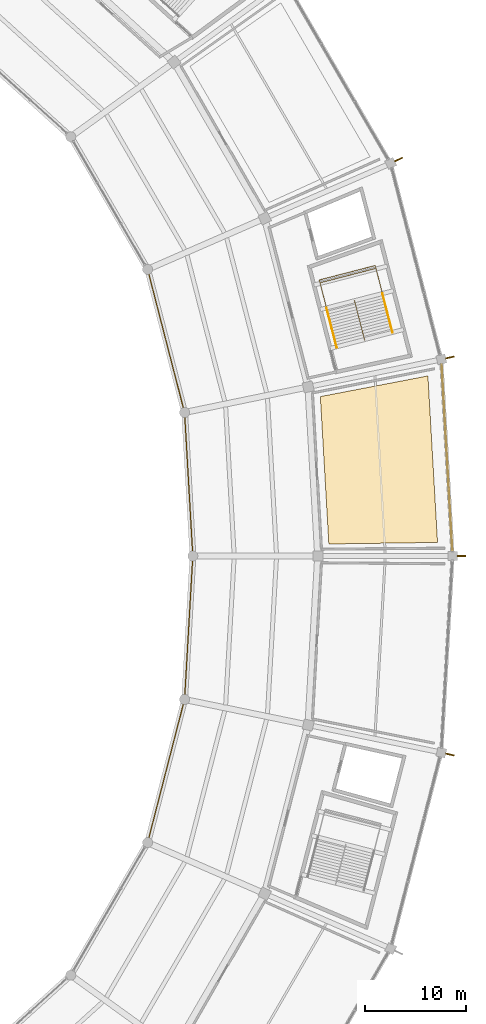
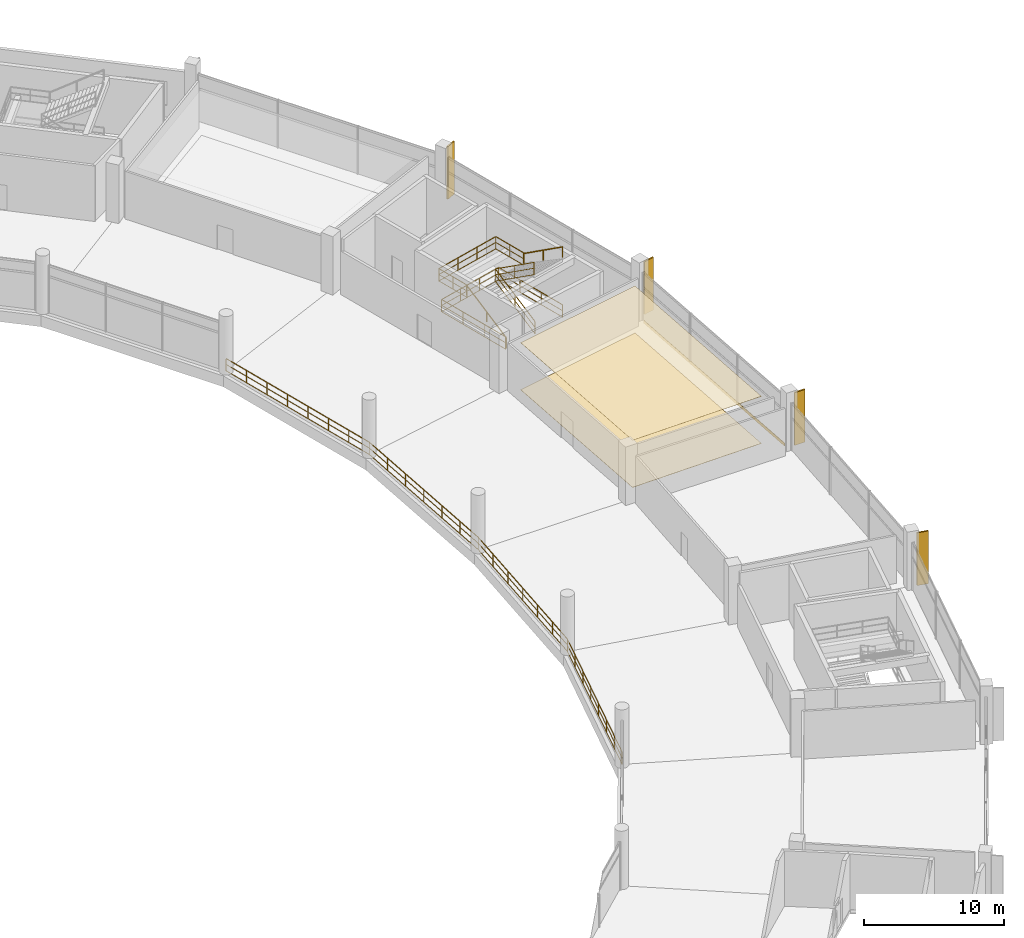
# One storey, part 181 of 184: 9 railings, 4 shading devices, 3 coverings.
"""IFC4 building model written with IfcOpenShell, lengths in metres."""

import ifcopenshell
import ifcopenshell.guid

model = None  # the IFC model being written
_history = None  # IfcOwnerHistory: only IFC2X3 demands one
_inside = {}  # id of a spatial element -> (the spatial element, [elements in it])
_under = {}  # id of a project, library or spatial element -> (it, [spatial elements below it])
_declared = {}  # id of a project -> (the project, [libraries it declares])
_typed = {}  # id of a type object -> (the type object, [elements of that type])
_made_of = {}  # id of a material, layer set ... -> (it, [elements and type objects made of it])


def new_model(schema):
    """Start an empty IFC model of exactly this schema.

    Asked for "IFC4X3", IfcOpenShell would pick the latest addendum, in which some entities
    have other attributes; the version numbers below select the first issue.
    IFC2X3 requires an IfcOwnerHistory on every rooted entity: one is made here for all.
    """
    global model, _history
    if schema == "IFC4X3":
        model = ifcopenshell.file(schema_version=(4, 3, 0, 0))
    else:
        model = ifcopenshell.file(schema=schema)
    _inside.clear()
    _under.clear()
    _declared.clear()
    _typed.clear()
    _made_of.clear()
    _history = None
    if model.schema == "IFC2X3":
        org = make("IfcOrganization", Name="unknown")
        user = make(
            "IfcPersonAndOrganization",
            ThePerson=make("IfcPerson", FamilyName="unknown"),
            TheOrganization=org,
        )
        app = make(
            "IfcApplication",
            ApplicationDeveloper=org,
            Version="unknown",
            ApplicationFullName="unknown",
            ApplicationIdentifier="unknown",
        )
        _history = make(
            "IfcOwnerHistory",
            OwningUser=user,
            OwningApplication=app,
            ChangeAction="ADDED",
            CreationDate=0,
        )
    return model


def make(cls, **values):
    """One entity of the class cls with the attributes given. An attribute that is None is left unset."""
    return model.create_entity(
        cls, **{name: value for name, value in values.items() if value is not None}
    )


def rooted(cls, **values):
    """An entity with a GlobalId (a new one), such as an element, a storey or a relation."""
    return make(cls, GlobalId=ifcopenshell.guid.new(), OwnerHistory=_history, **values)


def si_unit(unit_type, name, prefix=None):
    """IfcSIUnit, for example si_unit("LENGTHUNIT", "METRE", prefix="MILLI")."""
    return make("IfcSIUnit", UnitType=unit_type, Prefix=prefix, Name=name)


def assignment(units):
    """IfcUnitAssignment: the units of a project."""
    return None if units is None else make("IfcUnitAssignment", Units=units)


def point(xyz):
    """IfcCartesianPoint."""
    return None if xyz is None else make("IfcCartesianPoint", Coordinates=xyz)


def direction(xyz):
    """IfcDirection."""
    return None if xyz is None else make("IfcDirection", DirectionRatios=xyz)


def frame(location, z_axis=None, x_axis=None):
    """IfcAxis2Placement3D, a coordinate frame: its origin and axes. An axis left out is left unset."""
    return make(
        "IfcAxis2Placement3D",
        Location=point(location),
        Axis=direction(z_axis),
        RefDirection=direction(x_axis),
    )


def frame_2d(location, x_axis=None):
    """IfcAxis2Placement2D, a coordinate frame in the plane: its origin and x axis."""
    return make(
        "IfcAxis2Placement2D", Location=point(location), RefDirection=direction(x_axis)
    )


def origin():
    """The frame at (0, 0, 0) with its axes left unset."""
    return frame((0.0, 0.0, 0.0))


def origin_2d():
    """The frame at (0, 0) in the plane with its x axis left unset."""
    return frame_2d((0.0, 0.0))


def place(relative_to, where):
    """IfcLocalPlacement: puts the frame where relative to a parent placement (None: the world)."""
    return make(
        "IfcLocalPlacement", PlacementRelTo=relative_to, RelativePlacement=where
    )


def context(
    kind, dimensions, precision=None, world=None, true_north=None, identifier=None
):
    """IfcGeometricRepresentationContext, for example the 3D "Model" context."""
    return make(
        "IfcGeometricRepresentationContext",
        ContextIdentifier=identifier,
        ContextType=kind,
        CoordinateSpaceDimension=dimensions,
        Precision=precision,
        WorldCoordinateSystem=world,
        TrueNorth=true_north,
    )


def subcontext(parent, identifier, kind, view, scale=None):
    """IfcGeometricRepresentationSubContext, for example "Body" below "Model"."""
    return make(
        "IfcGeometricRepresentationSubContext",
        ContextIdentifier=identifier,
        ContextType=kind,
        ParentContext=parent,
        TargetScale=scale,
        TargetView=view,
    )


def project(units=None, contexts=None):
    """IfcProject with its units and contexts."""
    return rooted(
        "IfcProject",
        Name="project",
        RepresentationContexts=contexts,
        UnitsInContext=assignment(units),
    )


def spatial(cls, under=None, at=None, **own):
    """A site, building, storey or space (cls), placed at a placement, below another one or the project."""
    s = rooted(cls, ObjectPlacement=at, **own)
    if under is not None:
        _under.setdefault(under.id(), (under, []))[1].append(s)
    return s


def polyline(points):
    """IfcPolyline through the points."""
    return make("IfcPolyline", Points=[point(p) for p in points])


def profile(cls, at=None, kind="AREA", **sizes):
    """A parametric profile (cls). Its sizes go by their IFC names, for example OverallWidth=200.0."""
    return make(cls, ProfileType=kind, Position=at, **sizes)


def rectangle(**sizes):
    """IfcRectangleProfileDef."""
    return profile("IfcRectangleProfileDef", **sizes)


def outline(outer, holes=None, kind="AREA"):
    """IfcArbitraryClosedProfileDef: a profile drawn as a closed curve; with holes, ...WithVoids."""
    if holes is None:
        return make("IfcArbitraryClosedProfileDef", ProfileType=kind, OuterCurve=outer)
    return make(
        "IfcArbitraryProfileDefWithVoids",
        ProfileType=kind,
        OuterCurve=outer,
        InnerCurves=holes,
    )


def extrude(swept, where, along, depth):
    """IfcExtrudedAreaSolid: the profile swept, set in the frame where, extruded along a direction by depth."""
    return make(
        "IfcExtrudedAreaSolid",
        SweptArea=swept,
        Position=where,
        ExtrudedDirection=direction(along),
        Depth=depth,
    )


def shape(context_of_items, identifier, shape_type, items):
    """IfcShapeRepresentation: the items that make up one representation, for example the "Body"."""
    return make(
        "IfcShapeRepresentation",
        ContextOfItems=context_of_items,
        RepresentationIdentifier=identifier,
        RepresentationType=shape_type,
        Items=items,
    )


def material(Name=None, Category=None):
    """IfcMaterial."""
    return make("IfcMaterial", Name=Name, Category=Category)


def layer(
    of_material, thickness, ventilated=None, Name=None, Category=None, Priority=None
):
    """IfcMaterialLayer: one layer of a wall or slab, of a material (None: an air gap)."""
    return make(
        "IfcMaterialLayer",
        Material=of_material,
        LayerThickness=thickness,
        IsVentilated=ventilated,
        Name=Name,
        Category=Category,
        Priority=Priority,
    )


def layer_set(layers, Name=None):
    """IfcMaterialLayerSet."""
    return make("IfcMaterialLayerSet", MaterialLayers=layers, LayerSetName=Name)


def made_of(thing, what):
    """Note that an element or type object is made of a material, layer set ...; save() writes the relation."""
    if what is not None:
        _made_of.setdefault(what.id(), (what, []))[1].append(thing)
    return thing


def type_object(cls, material=None, **own):
    """A type object (cls), such as IfcWallType, which elements share."""
    return made_of(rooted(cls, **own), material)


def element(
    cls,
    number,
    at=None,
    inside=None,
    cuts=None,
    type_object=None,
    material=None,
    context=None,
    identifier="Body",
    shape_type=None,
    held_by="IfcProductDefinitionShape",
    body=None,
    shapes=None,
    **own,
):
    """One element of the class cls, such as IfcWall. Its Tag is "e" and its number.

    at: its placement. inside: the storey or other place that contains it. cuts: it is an
    opening in that element (IfcRelVoidsElement). A single representation is given by context,
    identifier, shape_type and body (its items); several are given by shapes. held_by: the class
    of the entity that holds the representations. save() writes the other relations.
    """
    e = rooted(cls, Tag="e%d" % number, ObjectPlacement=at, **own)
    if body is not None:
        shapes = [shape(context, identifier, shape_type, body)]
    if shapes is not None:
        e.Representation = make(held_by, Representations=shapes)
    if inside is not None:
        _inside.setdefault(inside.id(), (inside, []))[1].append(e)
    if cuts is not None:
        rooted(
            "IfcRelVoidsElement", RelatingBuildingElement=cuts, RelatedOpeningElement=e
        )
    if type_object is not None:
        _typed.setdefault(type_object.id(), (type_object, []))[1].append(e)
    return made_of(e, material)


def aggregate(whole, parts):
    """IfcRelAggregates: a whole, such as a stair, and the parts it consists of."""
    return rooted("IfcRelAggregates", RelatingObject=whole, RelatedObjects=parts)


def save(model, path):
    """Write the relations noted so far, then the file.

    IfcRelAggregates (storeys below a building ...), IfcRelContainedInSpatialStructure (elements
    in a storey), IfcRelDefinesByType, IfcRelAssociatesMaterial and IfcRelDeclares: one each for
    every whole, place, type object, material and project.
    """
    for whole, parts in _under.values():
        aggregate(whole, parts)
    for where, things in _inside.values():
        rooted(
            "IfcRelContainedInSpatialStructure",
            RelatedElements=things,
            RelatingStructure=where,
        )
    for kind, things in _typed.values():
        rooted("IfcRelDefinesByType", RelatedObjects=things, RelatingType=kind)
    for what, things in _made_of.values():
        rooted("IfcRelAssociatesMaterial", RelatedObjects=things, RelatingMaterial=what)
    for by, libraries in _declared.values():
        rooted("IfcRelDeclares", RelatingContext=by, RelatedDefinitions=libraries)
    model.write(path)


model = new_model("IFC4")

# Units and contexts
model_context = context("Model", 3, precision=1e-05, world=origin(), true_north=direction((0.0, 1.0)))
body_context = subcontext(model_context, "Body", "Model", "MODEL_VIEW")
ifc_project = project(units=[si_unit("LENGTHUNIT", "METRE"), si_unit("AREAUNIT", "SQUARE_METRE"), si_unit("VOLUMEUNIT", "CUBIC_METRE"), si_unit("PLANEANGLEUNIT", "RADIAN"), si_unit("MASSUNIT", "GRAM", prefix="KILO")], contexts=[model_context])

# Site, building, storey
site_placement = place(None, origin())
site = spatial("IfcSite", under=ifc_project, at=site_placement, CompositionType="ELEMENT")
building_placement = place(site_placement, origin())
building = spatial("IfcBuilding", under=site, at=building_placement, Name="Kazemori Nagisa Stadium", CompositionType="ELEMENT")
storey_placement = place(building_placement, frame((0.0, 0.0, 10.5400390625)))
storey = spatial("IfcBuildingStorey", under=building, at=storey_placement, Name="L02", CompositionType="ELEMENT", Elevation=10.5400390625)

# Coverings
ifc_material_1 = material(Name="Mineral-fibre acoustic board", Category="gypsum")
ifc_layer_1 = layer(ifc_material_1, 0.02001953125, Name="Mineral-fibre acoustic board", Category="gypsum")
ifc_layer_set_1 = layer_set([ifc_layer_1], Name="Mineral-fibre acoustic board")
covering_type_1 = type_object("IfcCoveringType", Name="Cov_CEIL", PredefinedType="CEILING", material=ifc_layer_set_1)
covering_1_placement = place(storey_placement, frame((0.0, 0.0, 4.10986328125)))
element("IfcCovering", 1, at=covering_1_placement, inside=storey, type_object=covering_type_1, Name="Acoustic ceiling L02-B01", PredefinedType="CEILING", context=body_context, shape_type="SweptSolid", body=[
    extrude(outline(polyline([(205.771728515625, 103.18408203125), (204.932373046875, 117.730712890625), (215.5498046875, 119.769287109375), (216.497802734375, 103.33740234375), (205.771728515625, 103.18408203125)])), origin(), (0.0, 0.0, 1.0), 0.02001953125),
])
ifc_material_2 = material(Name="Porcelain stoneware tile", Category="masonry")
ifc_layer_2 = layer(ifc_material_2, 0.02490234375, Name="Porcelain stoneware tile", Category="masonry")
ifc_layer_set_2 = layer_set([ifc_layer_2], Name="Porcelain stoneware tile")
covering_type_2 = type_object("IfcCoveringType", Name="Cov_FLOOR", PredefinedType="FLOORING", material=ifc_layer_set_2)
covering_2_placement = place(storey_placement, origin())
element("IfcCovering", 2, at=covering_2_placement, inside=storey, type_object=covering_type_2, Name="Porcelain floor finish L02-B01", PredefinedType="FLOORING", context=body_context, shape_type="SweptSolid", body=[
    extrude(outline(polyline([(205.771728515625, 103.18408203125), (204.932373046875, 117.730712890625), (215.5498046875, 119.769287109375), (216.497802734375, 103.33740234375), (205.771728515625, 103.18408203125)])), origin(), (0.0, 0.0, 1.0), 0.02490234375),
])
ifc_material_3 = material(Name="Anodised aluminium 6063-T5", Category="aluminium")
ifc_layer_3 = layer(ifc_material_3, 0.034912109375, Name="Anodised aluminium 6063-T5", Category="aluminium")
ifc_layer_set_3 = layer_set([ifc_layer_3], Name="Anodised aluminium 6063-T5")
covering_type_3 = type_object("IfcCoveringType", Name="Covering_CLAD", PredefinedType="CLADDING", material=ifc_layer_set_3)
covering_3_placement = place(storey_placement, frame((217.4404296875, 111.69873046875, -0.26025390625), z_axis=(0.0, 0.0, 1.0), x_axis=(-0.057601670941, 0.998339645364, 0.0)))
element("IfcCovering", 3, at=covering_3_placement, inside=storey, type_object=covering_type_3, Name="Anodised fascia cladding L02-B01", PredefinedType="CLADDING", context=body_context, shape_type="SweptSolid", body=[
    extrude(rectangle(XDim=18.329833984375, YDim=0.0400390625, at=origin_2d()), origin(), (0.0, 0.0, 1.0), 0.260009765625),
])

# Shading devices
ifc_material_4 = material(Name="Aluminium 6063-T5 anodised", Category="aluminium")
shading_device_type = type_object("IfcShadingDeviceType", Name="Fin_FN02", PredefinedType="USERDEFINED", material=ifc_material_4)
for number, where, z_axis, x_axis, name in (
    (4, (218.85498046875, 102.0, 0.0), (0.0, 0.0, 1.0), (1.0, 0.0, 0.0), "Aerodynamic wave shading fin L02-01"),
    (5, (217.71435546875, 121.587890625, 0.0), (0.0, 0.0, 1.0), (0.974927912182, 0.222520933954, 0.0), "Aerodynamic wave shading fin L02-02"),
    (6, (212.6552734375, 141.12060546875, 0.0), (0.0, 0.0, 1.0), (0.900968867905, 0.433883739113, 0.0), "Aerodynamic wave shading fin L02-03"),
    (7, (217.71435546875, 82.412109375, 0.0), (0.0, 0.0, 1.0), (0.974927912182, -0.222520933954, 0.0), "Aerodynamic wave shading fin L02-28"),
):
    element("IfcShadingDevice", number, at=place(storey_placement, frame(where, z_axis=z_axis, x_axis=x_axis)), inside=storey, type_object=shading_device_type, Name=name, ObjectType="FIN", PredefinedType="USERDEFINED", context=body_context, shape_type="SweptSolid", body=[
        extrude(rectangle(XDim=0.85009765625, YDim=0.1201171875, at=origin_2d()), origin(), (0.0, 0.0, 1.0), 4.60009765625),
    ])

# Railings
ifc_material_5 = material(Name="Laminated safety glass and stainless steel SUS304", Category="steel")
railing_type_1 = type_object("IfcRailingType", Name="Rail_BAL", PredefinedType="BALUSTRADE", material=ifc_material_5)
railing_1_placement = place(storey_placement, frame((192.35009765625, 102.0, 0.0)))
element("IfcRailing", 8, at=railing_1_placement, inside=storey, type_object=railing_type_1, Name="Concourse bowl balustrade L02-B01", PredefinedType="BALUSTRADE", context=body_context, shape_type="SweptSolid", body=[
    extrude(rectangle(XDim=0.050048828125, YDim=0.050048828125, at=origin_2d()), frame((0.0, 0.0, 1.09521484375), z_axis=(-0.057610061423, 0.998339161219, 0.0), x_axis=(-0.998339161219, -0.057610061423, 0.0)), (0.0, 0.0, 1.0), 14.183837890625),
    extrude(rectangle(XDim=0.03759765625, YDim=0.03759765625, at=origin_2d()), frame((0.0, 0.0, 0.58251953125), z_axis=(-0.057610061423, 0.998339161219, 0.0), x_axis=(-0.998339161219, -0.057610061423, 0.0)), (0.0, 0.0, 1.0), 14.183837890625),
    extrude(rectangle(XDim=0.03759765625, YDim=0.03759765625, at=origin_2d()), frame((0.0, 0.0, 0.02490234375), z_axis=(-0.057610061423, 0.998339161219, 0.0), x_axis=(-0.998339161219, -0.057610061423, 0.0)), (0.0, 0.0, 1.0), 14.183837890625),
    extrude(rectangle(XDim=0.044921875, YDim=0.044921875, at=origin_2d()), origin(), (0.0, 0.0, 1.0), 1.070068359375),
    extrude(rectangle(XDim=0.044921875, YDim=0.044921875, at=origin_2d()), frame((-0.13623046875, 2.360107421875, 0.0)), (0.0, 0.0, 1.0), 1.070068359375),
    extrude(rectangle(XDim=0.044921875, YDim=0.044921875, at=origin_2d()), frame((-0.2724609375, 4.72021484375, 0.0)), (0.0, 0.0, 1.0), 1.070068359375),
    extrude(rectangle(XDim=0.044921875, YDim=0.044921875, at=origin_2d()), frame((-0.40869140625, 7.080078125, 0.0)), (0.0, 0.0, 1.0), 1.070068359375),
    extrude(rectangle(XDim=0.044921875, YDim=0.044921875, at=origin_2d()), frame((-0.544677734375, 9.440185546875, 0.0)), (0.0, 0.0, 1.0), 1.070068359375),
    extrude(rectangle(XDim=0.044921875, YDim=0.044921875, at=origin_2d()), frame((-0.680908203125, 11.80029296875, 0.0)), (0.0, 0.0, 1.0), 1.070068359375),
    extrude(rectangle(XDim=0.044921875, YDim=0.044921875, at=origin_2d()), frame((-0.817138671875, 14.160400390625, 0.0)), (0.0, 0.0, 1.0), 1.070068359375),
])
railing_2_placement = place(storey_placement, frame((191.532958984375, 116.160400390625, 0.0)))
element("IfcRailing", 9, at=railing_2_placement, inside=storey, type_object=railing_type_1, Name="Concourse bowl balustrade L02-B02", PredefinedType="BALUSTRADE", context=body_context, shape_type="SweptSolid", body=[
    extrude(rectangle(XDim=0.050048828125, YDim=0.050048828125, at=origin_2d()), frame((0.0, 0.0, 1.09521484375), z_axis=(-0.249966077383, 0.9682545947, 0.0), x_axis=(-0.9682545947, -0.249966077383, 0.0)), (0.0, 0.0, 1.0), 14.58984375),
    extrude(rectangle(XDim=0.03759765625, YDim=0.03759765625, at=origin_2d()), frame((0.0, 0.0, 0.58251953125), z_axis=(-0.249966077383, 0.9682545947, 0.0), x_axis=(-0.9682545947, -0.249966077383, 0.0)), (0.0, 0.0, 1.0), 14.58984375),
    extrude(rectangle(XDim=0.03759765625, YDim=0.03759765625, at=origin_2d()), frame((0.0, 0.0, 0.02490234375), z_axis=(-0.249966077383, 0.9682545947, 0.0), x_axis=(-0.9682545947, -0.249966077383, 0.0)), (0.0, 0.0, 1.0), 14.58984375),
    extrude(rectangle(XDim=0.044921875, YDim=0.044921875, at=origin_2d()), origin(), (0.0, 0.0, 1.0), 1.070068359375),
    extrude(rectangle(XDim=0.044921875, YDim=0.044921875, at=origin_2d()), frame((-0.52099609375, 2.01806640625, 0.0)), (0.0, 0.0, 1.0), 1.070068359375),
    extrude(rectangle(XDim=0.044921875, YDim=0.044921875, at=origin_2d()), frame((-1.0419921875, 4.0361328125, 0.0)), (0.0, 0.0, 1.0), 1.070068359375),
    extrude(rectangle(XDim=0.044921875, YDim=0.044921875, at=origin_2d()), frame((-1.56298828125, 6.05419921875, 0.0)), (0.0, 0.0, 1.0), 1.070068359375),
    extrude(rectangle(XDim=0.044921875, YDim=0.044921875, at=origin_2d()), frame((-2.083984375, 8.072509765625, 0.0)), (0.0, 0.0, 1.0), 1.070068359375),
    extrude(rectangle(XDim=0.044921875, YDim=0.044921875, at=origin_2d()), frame((-2.60498046875, 10.090576171875, 0.0)), (0.0, 0.0, 1.0), 1.070068359375),
    extrude(rectangle(XDim=0.044921875, YDim=0.044921875, at=origin_2d()), frame((-3.1259765625, 12.108642578125, 0.0)), (0.0, 0.0, 1.0), 1.070068359375),
    extrude(rectangle(XDim=0.044921875, YDim=0.044921875, at=origin_2d()), frame((-3.64697265625, 14.126708984375, 0.0)), (0.0, 0.0, 1.0), 1.070068359375),
])
railing_3_placement = place(storey_placement, frame((187.885986328125, 73.712890625, 0.0)))
element("IfcRailing", 10, at=railing_3_placement, inside=storey, type_object=railing_type_1, Name="Concourse bowl balustrade L02-B27", PredefinedType="BALUSTRADE", context=body_context, shape_type="SweptSolid", body=[
    extrude(rectangle(XDim=0.050048828125, YDim=0.050048828125, at=origin_2d()), frame((0.0, 0.0, 1.09521484375), z_axis=(0.249966077383, 0.9682545947, 0.0), x_axis=(-0.9682545947, 0.249966077383, 0.0)), (0.0, 0.0, 1.0), 14.58984375),
    extrude(rectangle(XDim=0.03759765625, YDim=0.03759765625, at=origin_2d()), frame((0.0, 0.0, 0.58251953125), z_axis=(0.249966077383, 0.9682545947, 0.0), x_axis=(-0.9682545947, 0.249966077383, 0.0)), (0.0, 0.0, 1.0), 14.58984375),
    extrude(rectangle(XDim=0.03759765625, YDim=0.03759765625, at=origin_2d()), frame((0.0, 0.0, 0.02490234375), z_axis=(0.249966077383, 0.9682545947, 0.0), x_axis=(-0.9682545947, 0.249966077383, 0.0)), (0.0, 0.0, 1.0), 14.58984375),
    extrude(rectangle(XDim=0.044921875, YDim=0.044921875, at=origin_2d()), origin(), (0.0, 0.0, 1.0), 1.070068359375),
    extrude(rectangle(XDim=0.044921875, YDim=0.044921875, at=origin_2d()), frame((0.52099609375, 2.01806640625, 0.0)), (0.0, 0.0, 1.0), 1.070068359375),
    extrude(rectangle(XDim=0.044921875, YDim=0.044921875, at=origin_2d()), frame((1.0419921875, 4.0361328125, 0.0)), (0.0, 0.0, 1.0), 1.070068359375),
    extrude(rectangle(XDim=0.044921875, YDim=0.044921875, at=origin_2d()), frame((1.56298828125, 6.05419921875, 0.0)), (0.0, 0.0, 1.0), 1.070068359375),
    extrude(rectangle(XDim=0.044921875, YDim=0.044921875, at=origin_2d()), frame((2.083984375, 8.072509765625, 0.0)), (0.0, 0.0, 1.0), 1.070068359375),
    extrude(rectangle(XDim=0.044921875, YDim=0.044921875, at=origin_2d()), frame((2.60498046875, 10.090576171875, 0.0)), (0.0, 0.0, 1.0), 1.070068359375),
    extrude(rectangle(XDim=0.044921875, YDim=0.044921875, at=origin_2d()), frame((3.1259765625, 12.108642578125, 0.0)), (0.0, 0.0, 1.0), 1.070068359375),
    extrude(rectangle(XDim=0.044921875, YDim=0.044921875, at=origin_2d()), frame((3.64697265625, 14.126708984375, 0.0)), (0.0, 0.0, 1.0), 1.070068359375),
])
railing_4_placement = place(storey_placement, frame((191.532958984375, 87.839599609375, 0.0)))
element("IfcRailing", 11, at=railing_4_placement, inside=storey, type_object=railing_type_1, Name="Concourse bowl balustrade L02-B28", PredefinedType="BALUSTRADE", context=body_context, shape_type="SweptSolid", body=[
    extrude(rectangle(XDim=0.050048828125, YDim=0.050048828125, at=origin_2d()), frame((0.0, 0.0, 1.09521484375), z_axis=(0.057610061423, 0.998339161219, 0.0), x_axis=(-0.998339161219, 0.057610061423, 0.0)), (0.0, 0.0, 1.0), 14.183837890625),
    extrude(rectangle(XDim=0.03759765625, YDim=0.03759765625, at=origin_2d()), frame((0.0, 0.0, 0.58251953125), z_axis=(0.057610061423, 0.998339161219, 0.0), x_axis=(-0.998339161219, 0.057610061423, 0.0)), (0.0, 0.0, 1.0), 14.183837890625),
    extrude(rectangle(XDim=0.03759765625, YDim=0.03759765625, at=origin_2d()), frame((0.0, 0.0, 0.02490234375), z_axis=(0.057610061423, 0.998339161219, 0.0), x_axis=(-0.998339161219, 0.057610061423, 0.0)), (0.0, 0.0, 1.0), 14.183837890625),
    extrude(rectangle(XDim=0.044921875, YDim=0.044921875, at=origin_2d()), origin(), (0.0, 0.0, 1.0), 1.070068359375),
    extrude(rectangle(XDim=0.044921875, YDim=0.044921875, at=origin_2d()), frame((0.13623046875, 2.360107421875, 0.0)), (0.0, 0.0, 1.0), 1.070068359375),
    extrude(rectangle(XDim=0.044921875, YDim=0.044921875, at=origin_2d()), frame((0.2724609375, 4.72021484375, 0.0)), (0.0, 0.0, 1.0), 1.070068359375),
    extrude(rectangle(XDim=0.044921875, YDim=0.044921875, at=origin_2d()), frame((0.40869140625, 7.080078125, 0.0)), (0.0, 0.0, 1.0), 1.070068359375),
    extrude(rectangle(XDim=0.044921875, YDim=0.044921875, at=origin_2d()), frame((0.544677734375, 9.440185546875, 0.0)), (0.0, 0.0, 1.0), 1.070068359375),
    extrude(rectangle(XDim=0.044921875, YDim=0.044921875, at=origin_2d()), frame((0.680908203125, 11.80029296875, 0.0)), (0.0, 0.0, 1.0), 1.070068359375),
    extrude(rectangle(XDim=0.044921875, YDim=0.044921875, at=origin_2d()), frame((0.817138671875, 14.160400390625, 0.0)), (0.0, 0.0, 1.0), 1.070068359375),
])
ifc_material_6 = material(Name="Galvanised powder-coated steel", Category="steel")
railing_type_2 = type_object("IfcRailingType", Name="Rail_GUARD", PredefinedType="GUARDRAIL", material=ifc_material_6)
railing_5_placement = place(storey_placement, frame((206.533447265625, 122.641357421875, 0.0)))
element("IfcRailing", 12, at=railing_5_placement, inside=storey, type_object=railing_type_2, Name="Stair well perimeter guard ST07-L02", PredefinedType="GUARDRAIL", context=body_context, shape_type="SweptSolid", body=[
    extrude(rectangle(XDim=0.050048828125, YDim=0.050048828125, at=origin_2d()), frame((0.0, 0.0, 1.09521484375), z_axis=(-0.249941389051, 0.968260967942, 0.0), x_axis=(-0.968260967942, -0.249941389051, 0.0)), (0.0, 0.0, 1.0), 6.52490234375),
    extrude(rectangle(XDim=0.03759765625, YDim=0.03759765625, at=origin_2d()), frame((0.0, 0.0, 0.58251953125), z_axis=(-0.249941389051, 0.968260967942, 0.0), x_axis=(-0.968260967942, -0.249941389051, 0.0)), (0.0, 0.0, 1.0), 6.52490234375),
    extrude(rectangle(XDim=0.03759765625, YDim=0.03759765625, at=origin_2d()), frame((0.0, 0.0, 0.02490234375), z_axis=(-0.249941389051, 0.968260967942, 0.0), x_axis=(-0.968260967942, -0.249941389051, 0.0)), (0.0, 0.0, 1.0), 6.52490234375),
    extrude(rectangle(XDim=0.050048828125, YDim=0.050048828125, at=origin_2d()), frame((-1.630859375, 6.31787109375, 1.09521484375), z_axis=(0.968254587534, 0.249966105142, 0.0), x_axis=(-0.249966105142, 0.968254587534, 0.0)), (0.0, 0.0, 1.0), 5.699951171875),
    extrude(rectangle(XDim=0.03759765625, YDim=0.03759765625, at=origin_2d()), frame((-1.630859375, 6.31787109375, 0.58251953125), z_axis=(0.968254587534, 0.249966105142, 0.0), x_axis=(-0.249966105142, 0.968254587534, 0.0)), (0.0, 0.0, 1.0), 5.699951171875),
    extrude(rectangle(XDim=0.03759765625, YDim=0.03759765625, at=origin_2d()), frame((-1.630859375, 6.31787109375, 0.02490234375), z_axis=(0.968254587534, 0.249966105142, 0.0), x_axis=(-0.249966105142, 0.968254587534, 0.0)), (0.0, 0.0, 1.0), 5.699951171875),
    extrude(rectangle(XDim=0.050048828125, YDim=0.050048828125, at=origin_2d()), frame((3.88818359375, 7.74267578125, 1.09521484375), z_axis=(0.249941389051, -0.968260967942, 0.0), x_axis=(0.968260967942, 0.249941389051, 0.0)), (0.0, 0.0, 1.0), 6.52490234375),
    extrude(rectangle(XDim=0.03759765625, YDim=0.03759765625, at=origin_2d()), frame((3.88818359375, 7.74267578125, 0.58251953125), z_axis=(0.249941389051, -0.968260967942, 0.0), x_axis=(0.968260967942, 0.249941389051, 0.0)), (0.0, 0.0, 1.0), 6.52490234375),
    extrude(rectangle(XDim=0.03759765625, YDim=0.03759765625, at=origin_2d()), frame((3.88818359375, 7.74267578125, 0.02490234375), z_axis=(0.249941389051, -0.968260967942, 0.0), x_axis=(0.968260967942, 0.249941389051, 0.0)), (0.0, 0.0, 1.0), 6.52490234375),
    extrude(rectangle(XDim=0.044921875, YDim=0.044921875, at=origin_2d()), origin(), (0.0, 0.0, 1.0), 1.070068359375),
    extrude(rectangle(XDim=0.044921875, YDim=0.044921875, at=origin_2d()), frame((-0.543701171875, 2.10595703125, 0.0)), (0.0, 0.0, 1.0), 1.070068359375),
    extrude(rectangle(XDim=0.044921875, YDim=0.044921875, at=origin_2d()), frame((-1.087158203125, 4.2119140625, 0.0)), (0.0, 0.0, 1.0), 1.070068359375),
    extrude(rectangle(XDim=0.044921875, YDim=0.044921875, at=origin_2d()), frame((-1.630859375, 6.31787109375, 0.0)), (0.0, 0.0, 1.0), 1.070068359375),
    extrude(rectangle(XDim=0.044921875, YDim=0.044921875, at=origin_2d()), frame((0.208740234375, 6.792724609375, 0.0)), (0.0, 0.0, 1.0), 1.070068359375),
    extrude(rectangle(XDim=0.044921875, YDim=0.044921875, at=origin_2d()), frame((2.048583984375, 7.267822265625, 0.0)), (0.0, 0.0, 1.0), 1.070068359375),
    extrude(rectangle(XDim=0.044921875, YDim=0.044921875, at=origin_2d()), frame((3.88818359375, 7.74267578125, 0.0)), (0.0, 0.0, 1.0), 1.070068359375),
    extrude(rectangle(XDim=0.044921875, YDim=0.044921875, at=origin_2d()), frame((4.431884765625, 5.63671875, 0.0)), (0.0, 0.0, 1.0), 1.070068359375),
    extrude(rectangle(XDim=0.044921875, YDim=0.044921875, at=origin_2d()), frame((4.975341796875, 3.53076171875, 0.0)), (0.0, 0.0, 1.0), 1.070068359375),
    extrude(rectangle(XDim=0.044921875, YDim=0.044921875, at=origin_2d()), frame((5.51904296875, 1.4248046875, 0.0)), (0.0, 0.0, 1.0), 1.070068359375),
])
railing_6_placement = place(storey_placement, frame((209.31298828125, 123.2763671875, 0.0)))
element("IfcRailing", 13, at=railing_6_placement, inside=storey, type_object=railing_type_2, Name="Stair central guard ST07-L02", PredefinedType="GUARDRAIL", context=body_context, shape_type="SweptSolid", body=[
    extrude(rectangle(XDim=0.050048828125, YDim=0.050048828125, at=origin_2d()), frame((0.0, 0.0, 1.09521484375), z_axis=(-0.211364837529, 0.818783227004, 0.533777980655), x_axis=(-0.968258454043, -0.24995112757, 0.0)), (0.0, 0.0, 1.0), 4.77734375),
    extrude(rectangle(XDim=0.03759765625, YDim=0.03759765625, at=origin_2d()), frame((0.0, 0.0, 0.58251953125), z_axis=(-0.211364837529, 0.818783227004, 0.533777980655), x_axis=(-0.968258454043, -0.24995112757, 0.0)), (0.0, 0.0, 1.0), 4.77734375),
    extrude(rectangle(XDim=0.03759765625, YDim=0.03759765625, at=origin_2d()), frame((0.0, 0.0, 0.02490234375), z_axis=(-0.211364837529, 0.818783227004, 0.533777980655), x_axis=(-0.968258454043, -0.24995112757, 0.0)), (0.0, 0.0, 1.0), 4.77734375),
    extrude(rectangle(XDim=0.050048828125, YDim=0.050048828125, at=origin_2d()), frame((-1.009765625, 3.91162109375, 3.64501953125), z_axis=(0.210145181516, -0.81409227324, 0.541380433093), x_axis=(0.968260961023, 0.249941415854, 0.0)), (0.0, 0.0, 1.0), 4.709716796875),
    extrude(rectangle(XDim=0.03759765625, YDim=0.03759765625, at=origin_2d()), frame((-1.009765625, 3.91162109375, 3.132568359375), z_axis=(0.210145181516, -0.81409227324, 0.541380433093), x_axis=(0.968260961023, 0.249941415854, 0.0)), (0.0, 0.0, 1.0), 4.709716796875),
    extrude(rectangle(XDim=0.03759765625, YDim=0.03759765625, at=origin_2d()), frame((-1.009765625, 3.91162109375, 2.5751953125), z_axis=(0.210145181516, -0.81409227324, 0.541380433093), x_axis=(0.968260961023, 0.249941415854, 0.0)), (0.0, 0.0, 1.0), 4.709716796875),
    extrude(rectangle(XDim=0.044921875, YDim=0.044921875, at=origin_2d()), origin(), (0.0, 0.0, 1.0), 1.070068359375),
    extrude(rectangle(XDim=0.044921875, YDim=0.044921875, at=origin_2d()), frame((-0.5048828125, 1.955810546875, 1.27490234375)), (0.0, 0.0, 1.0), 1.070068359375),
    extrude(rectangle(XDim=0.044921875, YDim=0.044921875, at=origin_2d()), frame((-1.009765625, 3.91162109375, 2.550048828125)), (0.0, 0.0, 1.0), 1.070068359375),
    extrude(rectangle(XDim=0.044921875, YDim=0.044921875, at=origin_2d()), frame((-0.514892578125, 1.99462890625, 3.824951171875)), (0.0, 0.0, 1.0), 1.070068359375),
    extrude(rectangle(XDim=0.044921875, YDim=0.044921875, at=origin_2d()), frame((-0.02001953125, 0.077392578125, 5.099853515625)), (0.0, 0.0, 1.0), 1.070068359375),
])
railing_7_placement = place(storey_placement, frame((205.543701171875, 126.4755859375, 2.550048828125)))
element("IfcRailing", 14, at=railing_7_placement, inside=storey, type_object=railing_type_2, Name="Stair landing guard ST07-L02", PredefinedType="GUARDRAIL", context=body_context, shape_type="SweptSolid", body=[
    extrude(rectangle(XDim=0.050048828125, YDim=0.050048828125, at=origin_2d()), frame((0.0, 0.0, 1.09521484375), z_axis=(-0.249966105142, 0.968254587534, 0.0), x_axis=(-0.968254587534, -0.249966105142, 0.0)), (0.0, 0.0, 1.0), 2.85009765625),
    extrude(rectangle(XDim=0.03759765625, YDim=0.03759765625, at=origin_2d()), frame((0.0, 0.0, 0.58251953125), z_axis=(-0.249966105142, 0.968254587534, 0.0), x_axis=(-0.968254587534, -0.249966105142, 0.0)), (0.0, 0.0, 1.0), 2.85009765625),
    extrude(rectangle(XDim=0.03759765625, YDim=0.03759765625, at=origin_2d()), frame((0.0, 0.0, 0.02490234375), z_axis=(-0.249966105142, 0.968254587534, 0.0), x_axis=(-0.968254587534, -0.249966105142, 0.0)), (0.0, 0.0, 1.0), 2.85009765625),
    extrude(rectangle(XDim=0.050048828125, YDim=0.050048828125, at=origin_2d()), frame((-0.71240234375, 2.759521484375, 1.09521484375), z_axis=(0.968254587534, 0.249966105142, 0.0), x_axis=(-0.249966105142, 0.968254587534, 0.0)), (0.0, 0.0, 1.0), 5.699951171875),
    extrude(rectangle(XDim=0.03759765625, YDim=0.03759765625, at=origin_2d()), frame((-0.71240234375, 2.759521484375, 0.58251953125), z_axis=(0.968254587534, 0.249966105142, 0.0), x_axis=(-0.249966105142, 0.968254587534, 0.0)), (0.0, 0.0, 1.0), 5.699951171875),
    extrude(rectangle(XDim=0.03759765625, YDim=0.03759765625, at=origin_2d()), frame((-0.71240234375, 2.759521484375, 0.02490234375), z_axis=(0.968254587534, 0.249966105142, 0.0), x_axis=(-0.249966105142, 0.968254587534, 0.0)), (0.0, 0.0, 1.0), 5.699951171875),
    extrude(rectangle(XDim=0.050048828125, YDim=0.050048828125, at=origin_2d()), frame((4.806640625, 4.184326171875, 1.09521484375), z_axis=(0.249966105142, -0.968254587534, 0.0), x_axis=(0.968254587534, 0.249966105142, 0.0)), (0.0, 0.0, 1.0), 2.85009765625),
    extrude(rectangle(XDim=0.03759765625, YDim=0.03759765625, at=origin_2d()), frame((4.806640625, 4.184326171875, 0.58251953125), z_axis=(0.249966105142, -0.968254587534, 0.0), x_axis=(0.968254587534, 0.249966105142, 0.0)), (0.0, 0.0, 1.0), 2.85009765625),
    extrude(rectangle(XDim=0.03759765625, YDim=0.03759765625, at=origin_2d()), frame((4.806640625, 4.184326171875, 0.02490234375), z_axis=(0.249966105142, -0.968254587534, 0.0), x_axis=(0.968254587534, 0.249966105142, 0.0)), (0.0, 0.0, 1.0), 2.85009765625),
    extrude(rectangle(XDim=0.044921875, YDim=0.044921875, at=origin_2d()), origin(), (0.0, 0.0, 1.0), 1.070068359375),
    extrude(rectangle(XDim=0.044921875, YDim=0.044921875, at=origin_2d()), frame((-0.356201171875, 1.3798828125, 0.0)), (0.0, 0.0, 1.0), 1.070068359375),
    extrude(rectangle(XDim=0.044921875, YDim=0.044921875, at=origin_2d()), frame((-0.71240234375, 2.759521484375, 0.0)), (0.0, 0.0, 1.0), 1.070068359375),
    extrude(rectangle(XDim=0.044921875, YDim=0.044921875, at=origin_2d()), frame((1.127197265625, 3.234375, 0.0)), (0.0, 0.0, 1.0), 1.070068359375),
    extrude(rectangle(XDim=0.044921875, YDim=0.044921875, at=origin_2d()), frame((2.967041015625, 3.70947265625, 0.0)), (0.0, 0.0, 1.0), 1.070068359375),
    extrude(rectangle(XDim=0.044921875, YDim=0.044921875, at=origin_2d()), frame((4.806640625, 4.184326171875, 0.0)), (0.0, 0.0, 1.0), 1.070068359375),
    extrude(rectangle(XDim=0.044921875, YDim=0.044921875, at=origin_2d()), frame((5.162841796875, 2.8046875, 0.0)), (0.0, 0.0, 1.0), 1.070068359375),
    extrude(rectangle(XDim=0.044921875, YDim=0.044921875, at=origin_2d()), frame((5.51904296875, 1.4248046875, 0.0)), (0.0, 0.0, 1.0), 1.070068359375),
])
ifc_material_7 = material(Name="Stainless steel SUS304", Category="steel")
railing_type_3 = type_object("IfcRailingType", Name="Rail_HAND", PredefinedType="HANDRAIL", material=ifc_material_7)
railing_8_placement = place(storey_placement, frame((206.553466796875, 122.56396484375, 0.169921875)))
element("IfcRailing", 15, at=railing_8_placement, inside=storey, type_object=railing_type_3, Name="Stair handrail ST07-L02-F1", PredefinedType="HANDRAIL", context=body_context, shape_type="SweptSolid", body=[
    extrude(rectangle(XDim=0.050048828125, YDim=0.050048828125, at=origin_2d()), frame((0.0, 0.0, 0.875), z_axis=(-0.211364837529, 0.818783227004, 0.533777980655), x_axis=(-0.968258454043, -0.24995112757, 0.0)), (0.0, 0.0, 1.0), 4.77734375),
    extrude(rectangle(XDim=0.044921875, YDim=0.044921875, at=origin_2d()), origin(), (0.0, 0.0, 1.0), 0.849853515625),
    extrude(rectangle(XDim=0.044921875, YDim=0.044921875, at=origin_2d()), frame((-0.5048828125, 1.955810546875, 1.27490234375)), (0.0, 0.0, 1.0), 0.849853515625),
    extrude(rectangle(XDim=0.044921875, YDim=0.044921875, at=origin_2d()), frame((-1.009765625, 3.91162109375, 2.550048828125)), (0.0, 0.0, 1.0), 0.849853515625),
])
railing_9_placement = place(storey_placement, frame((211.062744140625, 127.900390625, 2.719970703125)))
element("IfcRailing", 16, at=railing_9_placement, inside=storey, type_object=railing_type_3, Name="Stair handrail ST07-L02-F2", PredefinedType="HANDRAIL", context=body_context, shape_type="SweptSolid", body=[
    extrude(rectangle(XDim=0.050048828125, YDim=0.050048828125, at=origin_2d()), frame((0.0, 0.0, 0.875), z_axis=(0.210139284122, -0.814069427019, 0.541417075149), x_axis=(0.968260961023, 0.249941415854, 0.0)), (0.0, 0.0, 1.0), 4.7099609375),
    extrude(rectangle(XDim=0.044921875, YDim=0.044921875, at=origin_2d()), origin(), (0.0, 0.0, 1.0), 0.849853515625),
    extrude(rectangle(XDim=0.044921875, YDim=0.044921875, at=origin_2d()), frame((0.494873046875, -1.9169921875, 1.27490234375)), (0.0, 0.0, 1.0), 0.849853515625),
    extrude(rectangle(XDim=0.044921875, YDim=0.044921875, at=origin_2d()), frame((0.98974609375, -3.834228515625, 2.550048828125)), (0.0, 0.0, 1.0), 0.849853515625),
])

save(model, "model.ifc")
